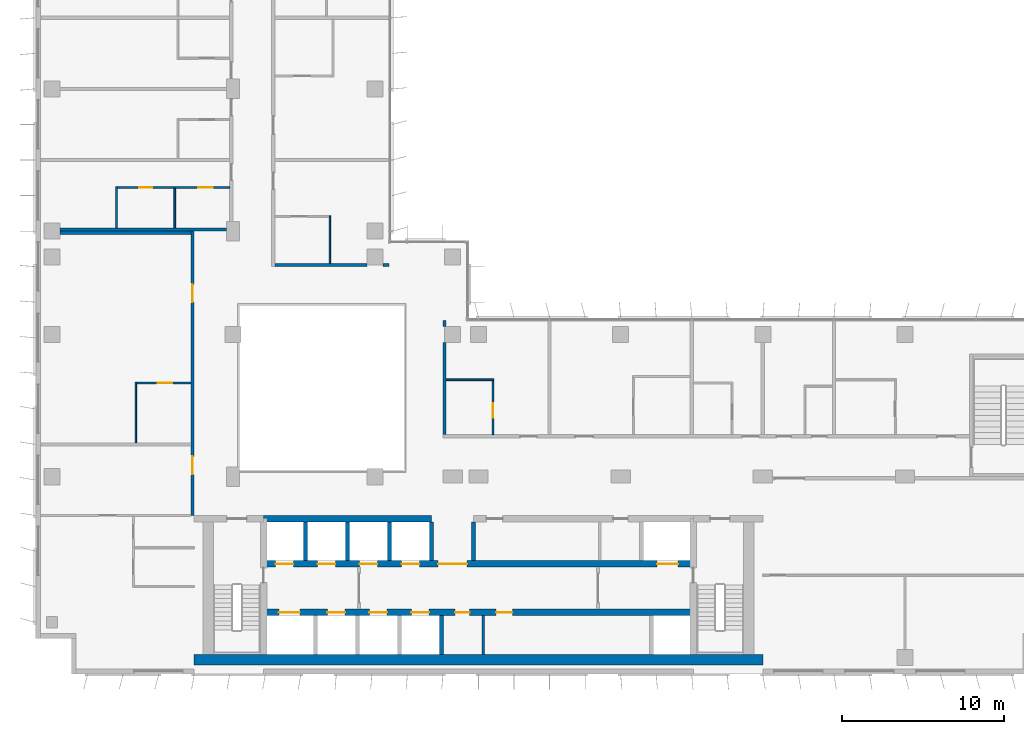
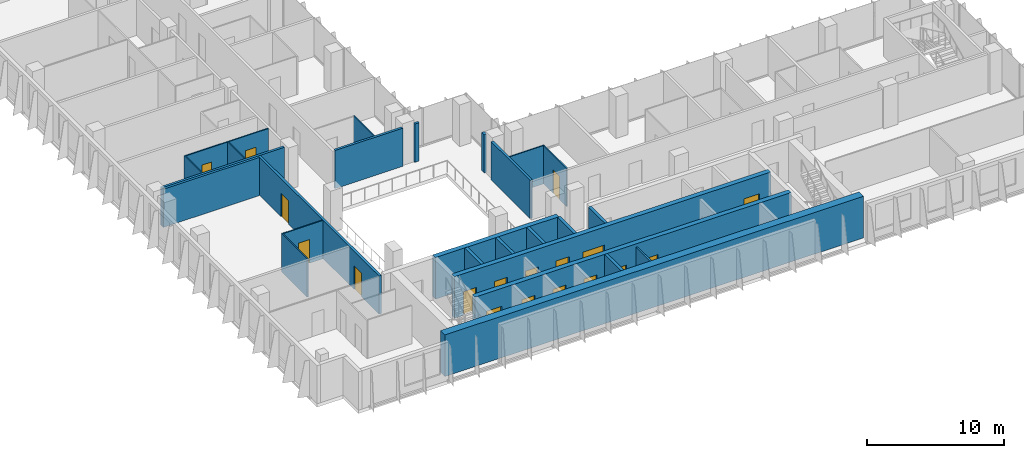
# One storey, part 13 of 21: 26 walls, 18 doors, 18 openings.
"""IFC4 building model written with IfcOpenShell, lengths in metres."""

from ifc_helpers import new_model, si_unit, direction, frame, frame_2d, origin, place, context, subcontext, project, spatial, rectangle, extrude, material, layer, layer_set, type_object, element, fill, save


model = new_model("IFC4")

# Units and contexts
model_context = context("Model", 3, precision=1e-05, world=origin(), true_north=direction((0.0, 1.0)))
body_context = subcontext(model_context, "Body", "Model", "MODEL_VIEW")
ifc_project = project(units=[si_unit("LENGTHUNIT", "METRE"), si_unit("AREAUNIT", "SQUARE_METRE"), si_unit("VOLUMEUNIT", "CUBIC_METRE"), si_unit("PLANEANGLEUNIT", "RADIAN"), si_unit("MASSUNIT", "GRAM", prefix="KILO")], contexts=[model_context])

# Site, building, storey
site_placement = place(None, origin())
site = spatial("IfcSite", under=ifc_project, at=site_placement, CompositionType="ELEMENT")
building_placement = place(site_placement, origin())
building = spatial("IfcBuilding", under=site, at=building_placement, Name="Kemantara Hotel Tower", CompositionType="ELEMENT")
storey_placement = place(building_placement, frame((0.0, 0.0, 179.0)))
storey = spatial("IfcBuildingStorey", under=building, at=storey_placement, Name="L44", CompositionType="ELEMENT", Elevation=179.0)

# Walls
ifc_material_1 = material(Name="Concrete fc 60 MPa", Category="concrete")
ifc_layer_1 = layer(ifc_material_1, 0.25)
ifc_layer_set_1 = layer_set([ifc_layer_1], Name="Concrete fc 60 MPa")
wall_type_1 = type_object("IfcWallType", Name="CORE WALL 250 FC60", PredefinedType="SHEAR", material=ifc_layer_set_1)
wall_1_placement = place(storey_placement, frame((25.10009765625, 1.199951171875, 0.0), z_axis=(0.0, 0.0, 1.0), x_axis=(0.0, 1.0, 0.0)))
element("IfcWall", 1, at=wall_1_placement, inside=storey, type_object=wall_type_1, Name="CORE WALL CW-DS25.1", PredefinedType="SHEAR", context=body_context, shape_type="SweptSolid", body=[
    extrude(rectangle(XDim=2.400146484375, YDim=0.25, at=frame_2d((1.2001953125, 0.0))), origin(), (0.0, 0.0, 1.0), 3.699951171875),
])
for number, where, z_axis, x_axis, name in (
    (2, (16.699951171875, 7.0, 0.0), (0.0, 0.0, 1.0), (0.0, 1.0, 0.0), "CORE WALL CW-DN16.7"),
    (3, (19.300048828125, 7.0, 0.0), (0.0, 0.0, 1.0), (0.0, 1.0, 0.0), "CORE WALL CW-DN19.3"),
    (4, (21.89990234375, 7.0, 0.0), (0.0, 0.0, 1.0), (0.0, 1.0, 0.0), "CORE WALL CW-DN21.9"),
    (5, (24.5, 7.0, 0.0), (0.0, 0.0, 1.0), (0.0, 1.0, 0.0), "CORE WALL CW-DN24.5"),
    (6, (27.10009765625, 7.0, 0.0), (0.0, 0.0, 1.0), (0.0, 1.0, 0.0), "CORE WALL CW-DN27.1"),
):
    element("IfcWall", number, at=place(storey_placement, frame(where, z_axis=z_axis, x_axis=x_axis)), inside=storey, type_object=wall_type_1, Name=name, PredefinedType="SHEAR", context=body_context, shape_type="SweptSolid", body=[
        extrude(rectangle(XDim=2.39990234375, YDim=0.25, at=frame_2d((1.199951171875, 0.0))), origin(), (0.0, 0.0, 1.0), 3.699951171875),
    ])
ifc_layer_2 = layer(ifc_material_1, 0.39990234375)
ifc_layer_set_2 = layer_set([ifc_layer_2], Name="Concrete fc 60 MPa")
wall_type_2 = type_object("IfcWallType", Name="CORE WALL 400 FC60", PredefinedType="SHEAR", material=ifc_layer_set_2)
wall_2_placement = place(storey_placement, frame((14.10009765625, 9.60009765625, 0.0), z_axis=(0.0, 0.0, 1.0), x_axis=(1.0, 0.0, 0.0)))
element("IfcWall", 7, at=wall_2_placement, inside=storey, type_object=wall_type_2, Name="CORE WALL CW-NN1", PredefinedType="SHEAR", context=body_context, shape_type="SweptSolid", body=[
    extrude(rectangle(XDim=10.39990234375, YDim=0.39990234375, at=frame_2d((5.199951171875, 0.0))), origin(), (0.0, 0.0, 1.0), 3.699951171875),
])

# Wall, openings, doors
wall_3_placement = place(storey_placement, frame((14.10009765625, 3.800048828125, 0.0), z_axis=(0.0, 0.0, 1.0), x_axis=(1.0, 0.0, 0.0)))
wall_3 = element("IfcWall", 8, at=wall_3_placement, inside=storey, type_object=wall_type_2, Name="CORE WALL CW-L1", PredefinedType="SHEAR", context=body_context, shape_type="SweptSolid", body=[
    extrude(rectangle(XDim=26.599853515625, YDim=0.39990234375, at=frame_2d((13.2998046875, 0.0))), origin(), (0.0, 0.0, 1.0), 3.699951171875),
])
opening_1_placement = place(wall_3_placement, frame((0.949951171875, 0.0, 0.0)))
opening_1 = element("IfcOpeningElement", 9, at=opening_1_placement, cuts=wall_3, Name="Opening C27-LD-FF1", PredefinedType="OPENING", context=body_context, shape_type="SweptSolid", body=[
    extrude(rectangle(XDim=1.300048828125, YDim=2.10009765625, at=frame_2d((0.64990234375, 1.050048828125))), frame((0.0, 0.2099609375, 0.0), z_axis=(0.0, -1.0, 0.0), x_axis=(1.0, 0.0, 0.0)), (0.0, 0.0, 1.0), 0.419921875),
])
opening_2_placement = place(wall_3_placement, frame((3.949951171875, 0.0, 0.0)))
opening_2 = element("IfcOpeningElement", 10, at=opening_2_placement, cuts=wall_3, Name="Opening C27-LD-SV1", PredefinedType="OPENING", context=body_context, shape_type="SweptSolid", body=[
    extrude(rectangle(XDim=1.10009765625, YDim=2.10009765625, at=frame_2d((0.550048828125, 1.050048828125))), frame((0.0, 0.2099609375, 0.0), z_axis=(0.0, -1.0, 0.0), x_axis=(1.0, 0.0, 0.0)), (0.0, 0.0, 1.0), 0.419921875),
])
opening_3_placement = place(wall_3_placement, frame((6.550048828125, 0.0, 0.0)))
opening_3 = element("IfcOpeningElement", 11, at=opening_3_placement, cuts=wall_3, Name="Opening C27-LD-SV2", PredefinedType="OPENING", context=body_context, shape_type="SweptSolid", body=[
    extrude(rectangle(XDim=1.10009765625, YDim=2.10009765625, at=frame_2d((0.550048828125, 1.050048828125))), frame((0.0, 0.2099609375, 0.0), z_axis=(0.0, -1.0, 0.0), x_axis=(1.0, 0.0, 0.0)), (0.0, 0.0, 1.0), 0.419921875),
])
opening_4_placement = place(wall_3_placement, frame((9.14990234375, 0.0, 0.0)))
opening_4 = element("IfcOpeningElement", 12, at=opening_4_placement, cuts=wall_3, Name="Opening C27-LD-SV3", PredefinedType="OPENING", context=body_context, shape_type="SweptSolid", body=[
    extrude(rectangle(XDim=1.10009765625, YDim=2.10009765625, at=frame_2d((0.550048828125, 1.050048828125))), frame((0.0, 0.2099609375, 0.0), z_axis=(0.0, -1.0, 0.0), x_axis=(1.0, 0.0, 0.0)), (0.0, 0.0, 1.0), 0.419921875),
])
opening_5_placement = place(wall_3_placement, frame((11.85009765625, 0.0, 0.0)))
opening_5 = element("IfcOpeningElement", 13, at=opening_5_placement, cuts=wall_3, Name="Opening C27-R-SM1", PredefinedType="OPENING", context=body_context, shape_type="SweptSolid", body=[
    extrude(rectangle(XDim=0.89990234375, YDim=2.10009765625, at=frame_2d((0.449951171875, 1.050048828125))), frame((0.0, 0.2099609375, 0.0), z_axis=(0.0, -1.0, 0.0), x_axis=(1.0, 0.0, 0.0)), (0.0, 0.0, 1.0), 0.419921875),
])
opening_6_placement = place(wall_3_placement, frame((14.39990234375, 0.0, 0.0)))
opening_6 = element("IfcOpeningElement", 14, at=opening_6_placement, cuts=wall_3, Name="Opening C27-R-SM2", PredefinedType="OPENING", context=body_context, shape_type="SweptSolid", body=[
    extrude(rectangle(XDim=1.0, YDim=2.10009765625, at=frame_2d((0.5, 1.050048828125))), frame((0.0, 0.2099609375, 0.0), z_axis=(0.0, -1.0, 0.0), x_axis=(1.0, 0.0, 0.0)), (0.0, 0.0, 1.0), 0.419921875),
])
ifc_material_2 = material(Name="Steel fire door", Category="steel")
door_type_1 = type_object("IfcDoorType", Name="Fire door FD30S 1000 x 2100", OperationType="NOTDEFINED", PredefinedType="DOOR", material=ifc_material_2)
door_1_placement = place(opening_6_placement, frame((1.0, 0.0, 0.0), z_axis=(0.0, 0.0, 1.0), x_axis=(-1.0, 0.0, 0.0)))
door_1 = element("IfcDoor", 15, at=door_1_placement, inside=storey, type_object=door_type_1, Name="Guest Pantry door", OperationType="SINGLE_SWING_LEFT", OverallHeight=2.10009765625, OverallWidth=1.0, PredefinedType="DOOR", context=body_context, shape_type="SweptSolid", body=[
    extrude(rectangle(XDim=1.0, YDim=2.10009765625, at=frame_2d((0.5, 1.050048828125))), frame((0.0, 0.02490234375, 0.0), z_axis=(0.0, -1.0, 0.0), x_axis=(1.0, 0.0, 0.0)), (0.0, 0.0, 1.0), 0.050048828125),
])
fill(opening_6, door_1)
door_type_2 = type_object("IfcDoorType", Name="Fire door FD60 900 x 2100", OperationType="NOTDEFINED", PredefinedType="DOOR", material=ifc_material_2)
door_2_placement = place(opening_5_placement, frame((0.89990234375, 0.0, 0.0), z_axis=(0.0, 0.0, 1.0), x_axis=(-1.0, 0.0, 0.0)))
door_2 = element("IfcDoor", 16, at=door_2_placement, inside=storey, type_object=door_type_2, Name="Electrical Riser Room door", OperationType="SINGLE_SWING_RIGHT", OverallHeight=2.10009765625, OverallWidth=0.89990234375, PredefinedType="DOOR", context=body_context, shape_type="SweptSolid", body=[
    extrude(rectangle(XDim=0.89990234375, YDim=2.10009765625, at=frame_2d((0.449951171875, 1.050048828125))), frame((0.0, 0.02490234375, 0.0), z_axis=(0.0, -1.0, 0.0), x_axis=(1.0, 0.0, 0.0)), (0.0, 0.0, 1.0), 0.050048828125),
])
fill(opening_5, door_2)
ifc_material_3 = material(Name="Stainless steel lift door", Category="steel")
door_type_3 = type_object("IfcDoorType", Name="Lift landing door 1100 x 2100 FD60", OperationType="DOUBLE_DOOR_SLIDING", PredefinedType="DOOR", material=ifc_material_3)
door_3_placement = place(opening_2_placement, origin())
door_3 = element("IfcDoor", 17, at=door_3_placement, inside=storey, type_object=door_type_3, Name="Lift SV1 landing door", OperationType="DOUBLE_DOOR_SLIDING", OverallHeight=2.10009765625, OverallWidth=1.10009765625, PredefinedType="DOOR", context=body_context, shape_type="SweptSolid", body=[
    extrude(rectangle(XDim=1.10009765625, YDim=2.10009765625, at=frame_2d((0.550048828125, 1.050048828125))), frame((0.0, 0.02490234375, 0.0), z_axis=(0.0, -1.0, 0.0), x_axis=(1.0, 0.0, 0.0)), (0.0, 0.0, 1.0), 0.050048828125),
])
fill(opening_2, door_3)
door_4_placement = place(opening_3_placement, origin())
door_4 = element("IfcDoor", 18, at=door_4_placement, inside=storey, type_object=door_type_3, Name="Lift SV2 landing door", OperationType="DOUBLE_DOOR_SLIDING", OverallHeight=2.10009765625, OverallWidth=1.10009765625, PredefinedType="DOOR", context=body_context, shape_type="SweptSolid", body=[
    extrude(rectangle(XDim=1.10009765625, YDim=2.10009765625, at=frame_2d((0.550048828125, 1.050048828125))), frame((0.0, 0.02490234375, 0.0), z_axis=(0.0, -1.0, 0.0), x_axis=(1.0, 0.0, 0.0)), (0.0, 0.0, 1.0), 0.050048828125),
])
fill(opening_3, door_4)
door_5_placement = place(opening_4_placement, origin())
door_5 = element("IfcDoor", 19, at=door_5_placement, inside=storey, type_object=door_type_3, Name="Lift SV3 landing door", OperationType="DOUBLE_DOOR_SLIDING", OverallHeight=2.10009765625, OverallWidth=1.10009765625, PredefinedType="DOOR", context=body_context, shape_type="SweptSolid", body=[
    extrude(rectangle(XDim=1.10009765625, YDim=2.10009765625, at=frame_2d((0.550048828125, 1.050048828125))), frame((0.0, 0.02490234375, 0.0), z_axis=(0.0, -1.0, 0.0), x_axis=(1.0, 0.0, 0.0)), (0.0, 0.0, 1.0), 0.050048828125),
])
fill(opening_4, door_5)
door_type_4 = type_object("IfcDoorType", Name="Lift landing door 1300 x 2100 FD90", OperationType="DOUBLE_DOOR_SLIDING", PredefinedType="DOOR", material=ifc_material_3)
door_6_placement = place(opening_1_placement, origin())
door_6 = element("IfcDoor", 20, at=door_6_placement, inside=storey, type_object=door_type_4, Name="Lift FF1 landing door", OperationType="DOUBLE_DOOR_SLIDING", OverallHeight=2.10009765625, OverallWidth=1.300048828125, PredefinedType="DOOR", context=body_context, shape_type="SweptSolid", body=[
    extrude(rectangle(XDim=1.300048828125, YDim=2.10009765625, at=frame_2d((0.64990234375, 1.050048828125))), frame((0.0, 0.02490234375, 0.0), z_axis=(0.0, -1.0, 0.0), x_axis=(1.0, 0.0, 0.0)), (0.0, 0.0, 1.0), 0.050048828125),
])
fill(opening_1, door_6)

wall_4_placement = place(storey_placement, frame((14.10009765625, 6.800048828125, 0.0), z_axis=(0.0, 0.0, 1.0), x_axis=(1.0, 0.0, 0.0)))
wall_4 = element("IfcWall", 21, at=wall_4_placement, inside=storey, type_object=wall_type_2, Name="CORE WALL CW-L2", PredefinedType="SHEAR", context=body_context, shape_type="SweptSolid", body=[
    extrude(rectangle(XDim=26.599853515625, YDim=0.39990234375, at=frame_2d((13.2998046875, 0.0))), origin(), (0.0, 0.0, 1.0), 3.699951171875),
])
opening_7_placement = place(wall_4_placement, frame((10.800048828125, 0.0, 0.0)))
opening_7 = element("IfcOpeningElement", 22, at=opening_7_placement, cuts=wall_4, Name="Opening C27-VL", PredefinedType="OPENING", context=body_context, shape_type="SweptSolid", body=[
    extrude(rectangle(XDim=1.800048828125, YDim=2.10009765625, at=frame_2d((0.89990234375, 1.050048828125))), frame((0.0, 0.2099609375, 0.0), z_axis=(0.0, -1.0, 0.0), x_axis=(1.0, 0.0, 0.0)), (0.0, 0.0, 1.0), 0.419921875),
])
opening_8_placement = place(wall_4_placement, frame((0.75, 0.0, 0.0)))
opening_8 = element("IfcOpeningElement", 23, at=opening_8_placement, cuts=wall_4, Name="Opening C27-LD-MR1", PredefinedType="OPENING", context=body_context, shape_type="SweptSolid", body=[
    extrude(rectangle(XDim=1.10009765625, YDim=2.10009765625, at=frame_2d((0.550048828125, 1.050048828125))), frame((0.0, 0.2099609375, 0.0), z_axis=(0.0, -1.0, 0.0), x_axis=(1.0, 0.0, 0.0)), (0.0, 0.0, 1.0), 0.419921875),
])
opening_9_placement = place(wall_4_placement, frame((3.35009765625, 0.0, 0.0)))
opening_9 = element("IfcOpeningElement", 24, at=opening_9_placement, cuts=wall_4, Name="Opening C27-LD-MR2", PredefinedType="OPENING", context=body_context, shape_type="SweptSolid", body=[
    extrude(rectangle(XDim=1.10009765625, YDim=2.10009765625, at=frame_2d((0.550048828125, 1.050048828125))), frame((0.0, 0.2099609375, 0.0), z_axis=(0.0, -1.0, 0.0), x_axis=(1.0, 0.0, 0.0)), (0.0, 0.0, 1.0), 0.419921875),
])
opening_10_placement = place(wall_4_placement, frame((5.949951171875, 0.0, 0.0)))
opening_10 = element("IfcOpeningElement", 25, at=opening_10_placement, cuts=wall_4, Name="Opening C27-LD-MR3", PredefinedType="OPENING", context=body_context, shape_type="SweptSolid", body=[
    extrude(rectangle(XDim=1.10009765625, YDim=2.10009765625, at=frame_2d((0.550048828125, 1.050048828125))), frame((0.0, 0.2099609375, 0.0), z_axis=(0.0, -1.0, 0.0), x_axis=(1.0, 0.0, 0.0)), (0.0, 0.0, 1.0), 0.419921875),
])
opening_11_placement = place(wall_4_placement, frame((8.550048828125, 0.0, 0.0)))
opening_11 = element("IfcOpeningElement", 26, at=opening_11_placement, cuts=wall_4, Name="Opening C27-LD-MR4", PredefinedType="OPENING", context=body_context, shape_type="SweptSolid", body=[
    extrude(rectangle(XDim=1.10009765625, YDim=2.10009765625, at=frame_2d((0.550048828125, 1.050048828125))), frame((0.0, 0.2099609375, 0.0), z_axis=(0.0, -1.0, 0.0), x_axis=(1.0, 0.0, 0.0)), (0.0, 0.0, 1.0), 0.419921875),
])
opening_12_placement = place(wall_4_placement, frame((24.35009765625, 0.0, 0.0)))
opening_12 = element("IfcOpeningElement", 27, at=opening_12_placement, cuts=wall_4, Name="Opening C27-LD-FF2", PredefinedType="OPENING", context=body_context, shape_type="SweptSolid", body=[
    extrude(rectangle(XDim=1.300048828125, YDim=2.10009765625, at=frame_2d((0.64990234375, 1.050048828125))), frame((0.0, 0.2099609375, 0.0), z_axis=(0.0, -1.0, 0.0), x_axis=(1.0, 0.0, 0.0)), (0.0, 0.0, 1.0), 0.419921875),
])
door_type_5 = type_object("IfcDoorType", Name="Fire door pair FD60 1800 x 2100", OperationType="DOUBLE_DOOR_SINGLE_SWING", PredefinedType="DOOR", material=ifc_material_2)
door_7_placement = place(opening_7_placement, frame((1.800048828125, 0.0, 0.0), z_axis=(0.0, 0.0, 1.0), x_axis=(-1.0, 0.0, 0.0)))
door_7 = element("IfcDoor", 28, at=door_7_placement, inside=storey, type_object=door_type_5, Name="Lift lobby entry door", OperationType="DOUBLE_DOOR_SINGLE_SWING", OverallHeight=2.10009765625, OverallWidth=1.800048828125, PredefinedType="DOOR", context=body_context, shape_type="SweptSolid", body=[
    extrude(rectangle(XDim=1.800048828125, YDim=2.10009765625, at=frame_2d((0.89990234375, 1.050048828125))), frame((0.0, 0.02490234375, 0.0), z_axis=(0.0, -1.0, 0.0), x_axis=(1.0, 0.0, 0.0)), (0.0, 0.0, 1.0), 0.050048828125),
])
fill(opening_7, door_7)
door_8_placement = place(opening_8_placement, origin())
door_8 = element("IfcDoor", 29, at=door_8_placement, inside=storey, type_object=door_type_3, Name="Lift MR1 landing door", OperationType="DOUBLE_DOOR_SLIDING", OverallHeight=2.10009765625, OverallWidth=1.10009765625, PredefinedType="DOOR", context=body_context, shape_type="SweptSolid", body=[
    extrude(rectangle(XDim=1.10009765625, YDim=2.10009765625, at=frame_2d((0.550048828125, 1.050048828125))), frame((0.0, 0.02490234375, 0.0), z_axis=(0.0, -1.0, 0.0), x_axis=(1.0, 0.0, 0.0)), (0.0, 0.0, 1.0), 0.050048828125),
])
fill(opening_8, door_8)
door_9_placement = place(opening_9_placement, origin())
door_9 = element("IfcDoor", 30, at=door_9_placement, inside=storey, type_object=door_type_3, Name="Lift MR2 landing door", OperationType="DOUBLE_DOOR_SLIDING", OverallHeight=2.10009765625, OverallWidth=1.10009765625, PredefinedType="DOOR", context=body_context, shape_type="SweptSolid", body=[
    extrude(rectangle(XDim=1.10009765625, YDim=2.10009765625, at=frame_2d((0.550048828125, 1.050048828125))), frame((0.0, 0.02490234375, 0.0), z_axis=(0.0, -1.0, 0.0), x_axis=(1.0, 0.0, 0.0)), (0.0, 0.0, 1.0), 0.050048828125),
])
fill(opening_9, door_9)
door_10_placement = place(opening_10_placement, origin())
door_10 = element("IfcDoor", 31, at=door_10_placement, inside=storey, type_object=door_type_3, Name="Lift MR3 landing door", OperationType="DOUBLE_DOOR_SLIDING", OverallHeight=2.10009765625, OverallWidth=1.10009765625, PredefinedType="DOOR", context=body_context, shape_type="SweptSolid", body=[
    extrude(rectangle(XDim=1.10009765625, YDim=2.10009765625, at=frame_2d((0.550048828125, 1.050048828125))), frame((0.0, 0.02490234375, 0.0), z_axis=(0.0, -1.0, 0.0), x_axis=(1.0, 0.0, 0.0)), (0.0, 0.0, 1.0), 0.050048828125),
])
fill(opening_10, door_10)
door_11_placement = place(opening_11_placement, origin())
door_11 = element("IfcDoor", 32, at=door_11_placement, inside=storey, type_object=door_type_3, Name="Lift MR4 landing door", OperationType="DOUBLE_DOOR_SLIDING", OverallHeight=2.10009765625, OverallWidth=1.10009765625, PredefinedType="DOOR", context=body_context, shape_type="SweptSolid", body=[
    extrude(rectangle(XDim=1.10009765625, YDim=2.10009765625, at=frame_2d((0.550048828125, 1.050048828125))), frame((0.0, 0.02490234375, 0.0), z_axis=(0.0, -1.0, 0.0), x_axis=(1.0, 0.0, 0.0)), (0.0, 0.0, 1.0), 0.050048828125),
])
fill(opening_11, door_11)
door_12_placement = place(opening_12_placement, origin())
door_12 = element("IfcDoor", 33, at=door_12_placement, inside=storey, type_object=door_type_4, Name="Lift FF2 landing door", OperationType="DOUBLE_DOOR_SLIDING", OverallHeight=2.10009765625, OverallWidth=1.300048828125, PredefinedType="DOOR", context=body_context, shape_type="SweptSolid", body=[
    extrude(rectangle(XDim=1.300048828125, YDim=2.10009765625, at=frame_2d((0.64990234375, 1.050048828125))), frame((0.0, 0.02490234375, 0.0), z_axis=(0.0, -1.0, 0.0), x_axis=(1.0, 0.0, 0.0)), (0.0, 0.0, 1.0), 0.050048828125),
])
fill(opening_12, door_12)

# Wall
ifc_layer_3 = layer(ifc_material_1, 0.64990234375)
ifc_layer_set_3 = layer_set([ifc_layer_3], Name="Concrete fc 60 MPa")
wall_type_3 = type_object("IfcWallType", Name="CORE WALL 650 FC60", PredefinedType="SHEAR", material=ifc_layer_set_3)
wall_5_placement = place(storey_placement, frame((9.800048828125, 0.875, 0.0), z_axis=(0.0, 0.0, 1.0), x_axis=(1.0, 0.0, 0.0)))
element("IfcWall", 34, at=wall_5_placement, inside=storey, type_object=wall_type_3, Name="CORE WALL CW-S", PredefinedType="SHEAR", context=body_context, shape_type="SweptSolid", body=[
    extrude(rectangle(XDim=35.199951171875, YDim=0.64990234375, at=frame_2d((17.60009765625, 0.0))), origin(), (0.0, 0.0, 1.0), 3.699951171875),
])

# Wall, openings, doors
ifc_material_4 = material(Name="Gypsum board partition, steel studs and mineral wool, 200 mm", Category="steel")
ifc_layer_4 = layer(ifc_material_4, 0.199951171875)
ifc_layer_set_4 = layer_set([ifc_layer_4], Name="Gypsum board partition, steel studs and mineral wool, 200 mm")
wall_type_4 = type_object("IfcWallType", Name="CORRIDOR WALL 200", PredefinedType="PARTITIONING", material=ifc_layer_set_4)
wall_6_placement = place(storey_placement, frame((9.699951171875, 9.800048828125, 0.0), z_axis=(0.0, 0.0, 1.0), x_axis=(0.0, 1.0, 0.0)))
wall_6 = element("IfcWall", 35, at=wall_6_placement, inside=storey, type_object=wall_type_4, Name="CORRIDOR WALL 200 011", PredefinedType="PARTITIONING", context=body_context, shape_type="SweptSolid", body=[
    extrude(rectangle(XDim=17.599853515625, YDim=0.199951171875, at=frame_2d((8.7998046875, 0.0))), origin(), (0.0, 0.0, 1.0), 3.39990234375),
])
opening_13_placement = place(wall_6_placement, frame((2.550048828125, 0.0, 0.0)))
opening_13 = element("IfcOpeningElement", 36, at=opening_13_placement, cuts=wall_6, Name="Opening F20-014", PredefinedType="OPENING", context=body_context, shape_type="SweptSolid", body=[
    extrude(rectangle(XDim=1.10009765625, YDim=2.10009765625, at=frame_2d((0.550048828125, 1.050048828125))), frame((0.0, 0.10986328125, 0.0), z_axis=(0.0, -1.0, 0.0), x_axis=(1.0, 0.0, 0.0)), (0.0, 0.0, 1.0), 0.219970703125),
])
opening_14_placement = place(wall_6_placement, frame((13.199951171875, 0.0, 0.0)))
opening_14 = element("IfcOpeningElement", 37, at=opening_14_placement, cuts=wall_6, Name="Opening F20-018", PredefinedType="OPENING", context=body_context, shape_type="SweptSolid", body=[
    extrude(rectangle(XDim=1.10009765625, YDim=2.10009765625, at=frame_2d((0.550048828125, 1.050048828125))), frame((0.0, 0.10986328125, 0.0), z_axis=(0.0, -1.0, 0.0), x_axis=(1.0, 0.0, 0.0)), (0.0, 0.0, 1.0), 0.219970703125),
])
ifc_material_5 = material(Name="Hardwood veneer door leaf with steel frame", Category="steel")
door_type_6 = type_object("IfcDoorType", Name="SUITE ENTRANCE DOOR 1100 X 2100 FD30S", OperationType="NOTDEFINED", PredefinedType="DOOR", material=ifc_material_5)
door_13_placement = place(opening_13_placement, origin())
door_13 = element("IfcDoor", 38, at=door_13_placement, inside=storey, type_object=door_type_6, Name="SUITE ENTRANCE DOOR F20-014", OperationType="SINGLE_SWING_RIGHT", OverallHeight=2.10009765625, OverallWidth=1.10009765625, PredefinedType="DOOR", context=body_context, shape_type="SweptSolid", body=[
    extrude(rectangle(XDim=1.10009765625, YDim=2.10009765625, at=frame_2d((0.550048828125, 1.050048828125))), frame((0.0, 0.02490234375, 0.0), z_axis=(0.0, -1.0, 0.0), x_axis=(1.0, 0.0, 0.0)), (0.0, 0.0, 1.0), 0.050048828125),
])
fill(opening_13, door_13)
door_14_placement = place(opening_14_placement, origin())
door_14 = element("IfcDoor", 39, at=door_14_placement, inside=storey, type_object=door_type_6, Name="SUITE ENTRANCE DOOR F20-018", OperationType="SINGLE_SWING_RIGHT", OverallHeight=2.10009765625, OverallWidth=1.10009765625, PredefinedType="DOOR", context=body_context, shape_type="SweptSolid", body=[
    extrude(rectangle(XDim=1.10009765625, YDim=2.10009765625, at=frame_2d((0.550048828125, 1.050048828125))), frame((0.0, 0.02490234375, 0.0), z_axis=(0.0, -1.0, 0.0), x_axis=(1.0, 0.0, 0.0)), (0.0, 0.0, 1.0), 0.050048828125),
])
fill(opening_14, door_14)

# Walls
ifc_layer_5 = layer(ifc_material_4, 0.199951171875)
ifc_layer_set_5 = layer_set([ifc_layer_5], Name="Gypsum board partition, steel studs and mineral wool, 200 mm")
wall_type_5 = type_object("IfcWallType", Name="GUEST ROOM PARTY WALL 200", PredefinedType="PARTITIONING", material=ifc_layer_set_5)
wall_7_placement = place(storey_placement, frame((25.300048828125, 14.800048828125, 0.0), z_axis=(0.0, 0.0, 1.0), x_axis=(0.0, 1.0, 0.0)))
element("IfcWall", 40, at=wall_7_placement, inside=storey, type_object=wall_type_5, Name="GUEST ROOM PARTY WALL 200 005", PredefinedType="PARTITIONING", context=body_context, shape_type="SweptSolid", body=[
    extrude(rectangle(XDim=5.699951171875, YDim=0.199951171875, at=frame_2d((2.85009765625, 0.0))), origin(), (0.0, 0.0, 1.0), 3.39990234375),
])
wall_8_placement = place(storey_placement, frame((25.300048828125, 21.5, 0.0), z_axis=(0.0, 0.0, 1.0), x_axis=(0.0, 1.0, 0.0)))
element("IfcWall", 41, at=wall_8_placement, inside=storey, type_object=wall_type_5, Name="GUEST ROOM PARTY WALL 200 006", PredefinedType="PARTITIONING", context=body_context, shape_type="SweptSolid", body=[
    extrude(rectangle(XDim=0.3701171875, YDim=0.199951171875, at=frame_2d((0.18505859375, 0.0))), origin(), (0.0, 0.0, 1.0), 3.39990234375),
])
wall_9_placement = place(storey_placement, frame((1.5, 27.300048828125, 0.0), z_axis=(0.0, 0.0, 1.0), x_axis=(1.0, 0.0, 0.0)))
element("IfcWall", 42, at=wall_9_placement, inside=storey, type_object=wall_type_5, Name="GUEST ROOM PARTY WALL 200 013", PredefinedType="PARTITIONING", context=body_context, shape_type="SweptSolid", body=[
    extrude(rectangle(XDim=8.10009765625, YDim=0.199951171875, at=frame_2d((4.050048828125, 0.0))), origin(), (0.0, 0.0, 1.0), 3.39990234375),
])
wall_10_placement = place(storey_placement, frame((1.5, 27.5, 0.0), z_axis=(0.0, 0.0, 1.0), x_axis=(1.0, 0.0, 0.0)))
element("IfcWall", 43, at=wall_10_placement, inside=storey, type_object=wall_type_5, Name="GUEST ROOM PARTY WALL 200 018", PredefinedType="PARTITIONING", context=body_context, shape_type="SweptSolid", body=[
    extrude(rectangle(XDim=10.2998046875, YDim=0.199951171875, at=frame_2d((5.14990234375, 0.0))), origin(), (0.0, 0.0, 1.0), 3.39990234375),
])
wall_11_placement = place(storey_placement, frame((14.800048828125, 25.300048828125, 0.0), z_axis=(0.0, 0.0, 1.0), x_axis=(1.0, 0.0, 0.0)))
element("IfcWall", 44, at=wall_11_placement, inside=storey, type_object=wall_type_5, Name="GUEST ROOM PARTY WALL 200 026", PredefinedType="PARTITIONING", context=body_context, shape_type="SweptSolid", body=[
    extrude(rectangle(XDim=5.699951171875, YDim=0.199951171875, at=frame_2d((2.85009765625, 0.0))), origin(), (0.0, 0.0, 1.0), 3.39990234375),
])
wall_12_placement = place(storey_placement, frame((21.5, 25.300048828125, 0.0), z_axis=(0.0, 0.0, 1.0), x_axis=(1.0, 0.0, 0.0)))
element("IfcWall", 45, at=wall_12_placement, inside=storey, type_object=wall_type_5, Name="GUEST ROOM PARTY WALL 200 027", PredefinedType="PARTITIONING", context=body_context, shape_type="SweptSolid", body=[
    extrude(rectangle(XDim=0.3701171875, YDim=0.199951171875, at=frame_2d((0.18505859375, 0.0))), origin(), (0.0, 0.0, 1.0), 3.39990234375),
])
ifc_material_6 = material(Name="Gypsum board partition")
ifc_layer_6 = layer(ifc_material_6, 0.14990234375)
ifc_layer_set_6 = layer_set([ifc_layer_6], Name="Gypsum board partition")
wall_type_6 = type_object("IfcWallType", Name="Gypsum board partition 150 mm", PredefinedType="PARTITIONING", material=ifc_layer_set_6)
wall_13_placement = place(storey_placement, frame((27.699951171875, 1.199951171875, 0.0), z_axis=(0.0, 0.0, 1.0), x_axis=(0.0, 1.0, 0.0)))
element("IfcWall", 46, at=wall_13_placement, inside=storey, type_object=wall_type_6, Name="Core room partition", PredefinedType="PARTITIONING", context=body_context, shape_type="SweptSolid", body=[
    extrude(rectangle(XDim=2.400146484375, YDim=0.14990234375, at=frame_2d((1.2001953125, 0.0))), origin(), (0.0, 0.0, 1.0), 3.39990234375),
])
ifc_material_7 = material(Name="Gypsum board partition on steel studs, 100 mm", Category="steel")
ifc_layer_7 = layer(ifc_material_7, 0.10009765625)
ifc_layer_set_7 = layer_set([ifc_layer_7], Name="Gypsum board partition on steel studs, 100 mm")
wall_type_7 = type_object("IfcWallType", Name="ROOM PARTITION 100", PredefinedType="PARTITIONING", material=ifc_layer_set_7)
wall_14_placement = place(storey_placement, frame((25.39990234375, 18.199951171875, 0.0), z_axis=(0.0, 0.0, 1.0), x_axis=(1.0, 0.0, 0.0)))
element("IfcWall", 47, at=wall_14_placement, inside=storey, type_object=wall_type_7, Name="ROOM PARTITION 100 032", PredefinedType="PARTITIONING", context=body_context, shape_type="SweptSolid", body=[
    extrude(rectangle(XDim=2.9501953125, YDim=0.10009765625, at=frame_2d((1.47509765625, 0.0))), origin(), (0.0, 0.0, 1.0), 3.39990234375),
])

# Wall, opening, door
wall_15_placement = place(storey_placement, frame((28.300048828125, 14.800048828125, 0.0), z_axis=(0.0, 0.0, 1.0), x_axis=(0.0, 1.0, 0.0)))
wall_15 = element("IfcWall", 48, at=wall_15_placement, inside=storey, type_object=wall_type_7, Name="ROOM PARTITION 100 034", PredefinedType="PARTITIONING", context=body_context, shape_type="SweptSolid", body=[
    extrude(rectangle(XDim=3.349853515625, YDim=0.10009765625, at=frame_2d((1.6748046875, 0.0))), origin(), (0.0, 0.0, 1.0), 3.39990234375),
])
opening_15_placement = place(wall_15_placement, frame((1.050048828125, 0.0, 0.0)))
opening_15 = element("IfcOpeningElement", 49, at=opening_15_placement, cuts=wall_15, Name="Opening F20-005", PredefinedType="OPENING", context=body_context, shape_type="SweptSolid", body=[
    extrude(rectangle(XDim=0.89990234375, YDim=2.10009765625, at=frame_2d((0.449951171875, 1.050048828125))), frame((0.0, 0.06005859375, 0.0), z_axis=(0.0, -1.0, 0.0), x_axis=(1.0, 0.0, 0.0)), (0.0, 0.0, 1.0), 0.1201171875),
])
door_type_7 = type_object("IfcDoorType", Name="BATHROOM DOOR 900 X 2100", OperationType="NOTDEFINED", PredefinedType="DOOR", material=ifc_material_5)
door_15_placement = place(opening_15_placement, origin())
door_15 = element("IfcDoor", 50, at=door_15_placement, inside=storey, type_object=door_type_7, Name="BATHROOM DOOR F20-005", OperationType="SINGLE_SWING_LEFT", OverallHeight=2.10009765625, OverallWidth=0.89990234375, PredefinedType="DOOR", context=body_context, shape_type="SweptSolid", body=[
    extrude(rectangle(XDim=0.89990234375, YDim=2.10009765625, at=frame_2d((0.449951171875, 1.050048828125))), frame((0.0, 0.02490234375, 0.0), z_axis=(0.0, -1.0, 0.0), x_axis=(1.0, 0.0, 0.0)), (0.0, 0.0, 1.0), 0.050048828125),
])
fill(opening_15, door_15)

wall_16_placement = place(storey_placement, frame((9.60009765625, 18.0, 0.0), z_axis=(0.0, 0.0, 1.0), x_axis=(-1.0, 0.0, 0.0)))
wall_16 = element("IfcWall", 51, at=wall_16_placement, inside=storey, type_object=wall_type_7, Name="ROOM PARTITION 100 037", PredefinedType="PARTITIONING", context=body_context, shape_type="SweptSolid", body=[
    extrude(rectangle(XDim=3.35009765625, YDim=0.10009765625, at=frame_2d((1.675048828125, 0.0))), origin(), (0.0, 0.0, 1.0), 3.39990234375),
])
opening_16_placement = place(wall_16_placement, frame((1.14990234375, 0.0, 0.0)))
opening_16 = element("IfcOpeningElement", 52, at=opening_16_placement, cuts=wall_16, Name="Opening F20-019", PredefinedType="OPENING", context=body_context, shape_type="SweptSolid", body=[
    extrude(rectangle(XDim=0.89990234375, YDim=2.10009765625, at=frame_2d((0.449951171875, 1.050048828125))), frame((0.0, 0.06005859375, 0.0), z_axis=(0.0, -1.0, 0.0), x_axis=(1.0, 0.0, 0.0)), (0.0, 0.0, 1.0), 0.1201171875),
])
door_16_placement = place(opening_16_placement, origin())
door_16 = element("IfcDoor", 53, at=door_16_placement, inside=storey, type_object=door_type_7, Name="BATHROOM DOOR F20-019", OperationType="SINGLE_SWING_LEFT", OverallHeight=2.10009765625, OverallWidth=0.89990234375, PredefinedType="DOOR", context=body_context, shape_type="SweptSolid", body=[
    extrude(rectangle(XDim=0.89990234375, YDim=2.10009765625, at=frame_2d((0.449951171875, 1.050048828125))), frame((0.0, 0.02490234375, 0.0), z_axis=(0.0, -1.0, 0.0), x_axis=(1.0, 0.0, 0.0)), (0.0, 0.0, 1.0), 0.050048828125),
])
fill(opening_16, door_16)

# Walls
wall_17_placement = place(storey_placement, frame((6.199951171875, 14.300048828125, 0.0), z_axis=(0.0, 0.0, 1.0), x_axis=(0.0, 1.0, 0.0)))
element("IfcWall", 54, at=wall_17_placement, inside=storey, type_object=wall_type_7, Name="ROOM PARTITION 100 047", PredefinedType="PARTITIONING", context=body_context, shape_type="SweptSolid", body=[
    extrude(rectangle(XDim=3.75, YDim=0.10009765625, at=frame_2d((1.875, 0.0))), origin(), (0.0, 0.0, 1.0), 3.39990234375),
])
wall_18_placement = place(storey_placement, frame((5.0, 27.60009765625, 0.0), z_axis=(0.0, 0.0, 1.0), x_axis=(0.0, 1.0, 0.0)))
element("IfcWall", 55, at=wall_18_placement, inside=storey, type_object=wall_type_7, Name="ROOM PARTITION 100 048", PredefinedType="PARTITIONING", context=body_context, shape_type="SweptSolid", body=[
    extrude(rectangle(XDim=2.5498046875, YDim=0.10009765625, at=frame_2d((1.27490234375, 0.0))), origin(), (0.0, 0.0, 1.0), 3.39990234375),
])
wall_19_placement = place(storey_placement, frame((8.60009765625, 27.60009765625, 0.0), z_axis=(0.0, 0.0, 1.0), x_axis=(0.0, 1.0, 0.0)))
element("IfcWall", 56, at=wall_19_placement, inside=storey, type_object=wall_type_7, Name="ROOM PARTITION 100 049", PredefinedType="PARTITIONING", context=body_context, shape_type="SweptSolid", body=[
    extrude(rectangle(XDim=2.449951171875, YDim=0.10009765625, at=frame_2d((1.22509765625, 0.0))), origin(), (0.0, 0.0, 1.0), 3.39990234375),
])

# Wall, openings, doors
wall_20_placement = place(storey_placement, frame((12.0, 30.10009765625, 0.0), z_axis=(0.0, 0.0, 1.0), x_axis=(-1.0, 0.0, 0.0)))
wall_20 = element("IfcWall", 57, at=wall_20_placement, inside=storey, type_object=wall_type_7, Name="ROOM PARTITION 100 051", PredefinedType="PARTITIONING", context=body_context, shape_type="SweptSolid", body=[
    extrude(rectangle(XDim=6.949951171875, YDim=0.10009765625, at=frame_2d((3.47509765625, 0.0))), origin(), (0.0, 0.0, 1.0), 3.39990234375),
])
opening_17_placement = place(wall_20_placement, frame((1.050048828125, 0.0, 0.0)))
opening_17 = element("IfcOpeningElement", 58, at=opening_17_placement, cuts=wall_20, Name="Opening F20-021", PredefinedType="OPENING", context=body_context, shape_type="SweptSolid", body=[
    extrude(rectangle(XDim=0.89990234375, YDim=2.10009765625, at=frame_2d((0.449951171875, 1.050048828125))), frame((0.0, 0.06005859375, 0.0), z_axis=(0.0, -1.0, 0.0), x_axis=(1.0, 0.0, 0.0)), (0.0, 0.0, 1.0), 0.1201171875),
])
opening_18_placement = place(wall_20_placement, frame((4.800048828125, 0.0, 0.0)))
opening_18 = element("IfcOpeningElement", 59, at=opening_18_placement, cuts=wall_20, Name="Opening F20-022", PredefinedType="OPENING", context=body_context, shape_type="SweptSolid", body=[
    extrude(rectangle(XDim=0.800048828125, YDim=2.10009765625, at=frame_2d((0.39990234375, 1.050048828125))), frame((0.0, 0.06005859375, 0.0), z_axis=(0.0, -1.0, 0.0), x_axis=(1.0, 0.0, 0.0)), (0.0, 0.0, 1.0), 0.1201171875),
])
door_17_placement = place(opening_17_placement, origin())
door_17 = element("IfcDoor", 60, at=door_17_placement, inside=storey, type_object=door_type_7, Name="BATHROOM DOOR F20-021", OperationType="SINGLE_SWING_LEFT", OverallHeight=2.10009765625, OverallWidth=0.89990234375, PredefinedType="DOOR", context=body_context, shape_type="SweptSolid", body=[
    extrude(rectangle(XDim=0.89990234375, YDim=2.10009765625, at=frame_2d((0.449951171875, 1.050048828125))), frame((0.0, 0.02490234375, 0.0), z_axis=(0.0, -1.0, 0.0), x_axis=(1.0, 0.0, 0.0)), (0.0, 0.0, 1.0), 0.050048828125),
])
fill(opening_17, door_17)
door_type_8 = type_object("IfcDoorType", Name="INTERNAL DOOR 800 X 2100", OperationType="NOTDEFINED", PredefinedType="DOOR", material=ifc_material_5)
door_18_placement = place(opening_18_placement, origin())
door_18 = element("IfcDoor", 61, at=door_18_placement, inside=storey, type_object=door_type_8, Name="INTERNAL DOOR F20-022", OperationType="SINGLE_SWING_LEFT", OverallHeight=2.10009765625, OverallWidth=0.800048828125, PredefinedType="DOOR", context=body_context, shape_type="SweptSolid", body=[
    extrude(rectangle(XDim=0.800048828125, YDim=2.10009765625, at=frame_2d((0.39990234375, 1.050048828125))), frame((0.0, 0.02490234375, 0.0), z_axis=(0.0, -1.0, 0.0), x_axis=(1.0, 0.0, 0.0)), (0.0, 0.0, 1.0), 0.050048828125),
])
fill(opening_18, door_18)

# Wall
wall_21_placement = place(storey_placement, frame((18.199951171875, 25.39990234375, 0.0), z_axis=(0.0, 0.0, 1.0), x_axis=(0.0, 1.0, 0.0)))
element("IfcWall", 62, at=wall_21_placement, inside=storey, type_object=wall_type_7, Name="ROOM PARTITION 100 060", PredefinedType="PARTITIONING", context=body_context, shape_type="SweptSolid", body=[
    extrude(rectangle(XDim=2.9501953125, YDim=0.10009765625, at=frame_2d((1.47509765625, 0.0))), origin(), (0.0, 0.0, 1.0), 3.39990234375),
])

save(model, "model.ifc")
